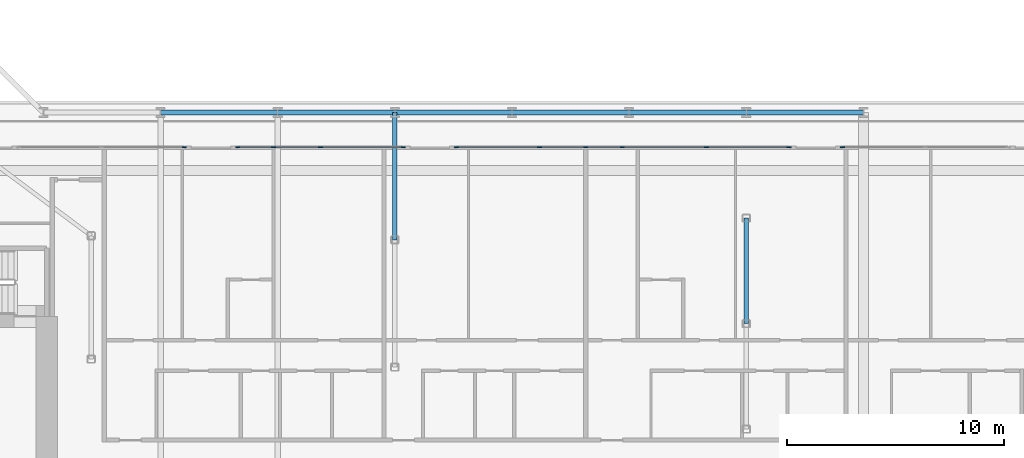
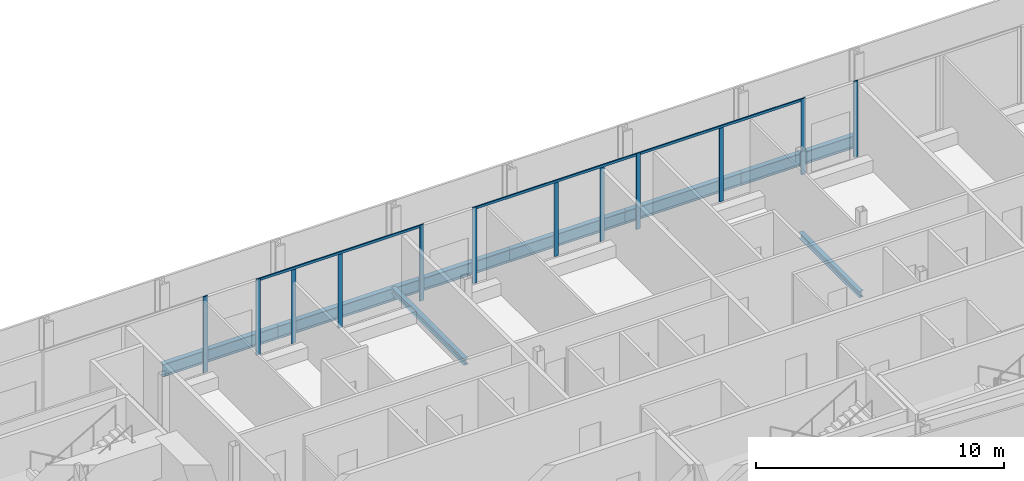
# One storey, part 6 of 27: 15 members, 8 beams, 5 elements without a shape of their own.
"""IFC4 building model written with IfcOpenShell, lengths in metres."""

from ifc_helpers import new_model, si_unit, direction, frame, origin, origin_2d, place, context, subcontext, project, spatial, rectangle, i_section, extrude, material, layer, layer_set, material_profile, profile_set, type_object, element, aggregate, save


model = new_model("IFC4")

# Units and contexts
model_context = context("Model", 3, precision=1e-05, world=origin(), true_north=direction((0.0, 1.0)))
body_context = subcontext(model_context, "Body", "Model", "MODEL_VIEW")
ifc_project = project(units=[si_unit("LENGTHUNIT", "METRE"), si_unit("AREAUNIT", "SQUARE_METRE"), si_unit("VOLUMEUNIT", "CUBIC_METRE"), si_unit("PLANEANGLEUNIT", "RADIAN"), si_unit("MASSUNIT", "GRAM", prefix="KILO")], contexts=[model_context])

# Site, building, storey
site_placement = place(None, origin())
site = spatial("IfcSite", under=ifc_project, at=site_placement, CompositionType="ELEMENT")
building_placement = place(site_placement, origin())
building = spatial("IfcBuilding", under=site, at=building_placement, Name="Kheshtan School and Residences Tower", CompositionType="ELEMENT")
storey_placement = place(building_placement, frame((0.0, 0.0, 53.89990234375)))
storey = spatial("IfcBuildingStorey", under=building, at=storey_placement, Name="L12", CompositionType="ELEMENT", Elevation=53.89990234375)

# Beams
ifc_material_1 = material(Name="Steel ASTM A992 Grade 50", Category="steel")
ifc_material_profile_1 = material_profile(ifc_material_1, i_section(OverallWidth=0.202880859375, OverallDepth=0.302978515625, WebThickness=0.007568359375, FlangeThickness=0.01318359375, FilletRadius=0.009033203125, at=origin_2d()), Name="W310x60")
ifc_profile_set_1 = profile_set([ifc_material_profile_1], Name="Steel ASTM A992 Grade 50")
beam_type_1 = type_object("IfcBeamType", Name="Beam FB1 W310x60 ASTM A992 Grade 50", PredefinedType="BEAM", material=ifc_profile_set_1)
beam_1_placement = place(storey_placement, frame((69.199951171875, 45.60009765625, -0.301513671875), z_axis=(0.0, -1.0, 0.0), x_axis=(1.0, 0.0, 0.0)))
element("IfcBeam", 1, at=beam_1_placement, inside=storey, type_object=beam_type_1, Name="Floor beam C064", PredefinedType="BEAM", context=body_context, shape_type="SweptSolid", body=[
    extrude(i_section(OverallWidth=0.202880859375, OverallDepth=0.302978515625, WebThickness=0.007568359375, FlangeThickness=0.01318359375, FilletRadius=0.009033203125, at=origin_2d()), origin(), (0.0, 0.0, 1.0), 5.8681640625),
])
beam_2_placement = place(storey_placement, frame((85.39990234375, 40.735107421875, -0.301513671875), z_axis=(0.0, -1.0, 0.0), x_axis=(1.0, 0.0, 0.0)))
element("IfcBeam", 2, at=beam_2_placement, inside=storey, type_object=beam_type_1, Name="Floor beam IC", PredefinedType="BEAM", context=body_context, shape_type="SweptSolid", body=[
    extrude(i_section(OverallWidth=0.202880859375, OverallDepth=0.302978515625, WebThickness=0.007568359375, FlangeThickness=0.01318359375, FilletRadius=0.009033203125, at=origin_2d()), origin(), (0.0, 0.0, 1.0), 4.864990234375),
])
ifc_material_profile_2 = material_profile(ifc_material_1, i_section(OverallWidth=0.22998046875, OverallDepth=0.616943359375, WebThickness=0.01318359375, FlangeThickness=0.022216796875, FilletRadius=0.0185546875, at=origin_2d()), Name="W610x140")
ifc_profile_set_2 = profile_set([ifc_material_profile_2], Name="Steel ASTM A992 Grade 50")
beam_type_2 = type_object("IfcBeamType", Name="Beam SP1 W610x140 ASTM A992 Grade 50", PredefinedType="BEAM", material=ifc_profile_set_2)
beam_3_placement = place(storey_placement, frame((58.39990234375, 45.60009765625, -0.45849609375), z_axis=(1.0, 0.0, 0.0), x_axis=(0.0, 1.0, 0.0)))
element("IfcBeam", 3, at=beam_3_placement, inside=storey, type_object=beam_type_2, Name="Spandrel beam C062-C063", PredefinedType="BEAM", context=body_context, shape_type="SweptSolid", body=[
    extrude(i_section(OverallWidth=0.22998046875, OverallDepth=0.616943359375, WebThickness=0.01318359375, FlangeThickness=0.022216796875, FilletRadius=0.0185546875, at=origin_2d()), origin(), (0.0, 0.0, 1.0), 5.400146484375),
])
beam_4_placement = place(storey_placement, frame((63.800048828125, 45.60009765625, -0.45849609375), z_axis=(1.0, 0.0, 0.0), x_axis=(0.0, 1.0, 0.0)))
element("IfcBeam", 4, at=beam_4_placement, inside=storey, type_object=beam_type_2, Name="Spandrel beam C063-C064", PredefinedType="BEAM", context=body_context, shape_type="SweptSolid", body=[
    extrude(i_section(OverallWidth=0.22998046875, OverallDepth=0.616943359375, WebThickness=0.01318359375, FlangeThickness=0.022216796875, FilletRadius=0.0185546875, at=origin_2d()), origin(), (0.0, 0.0, 1.0), 5.39990234375),
])
beam_5_placement = place(storey_placement, frame((69.199951171875, 45.60009765625, -0.45849609375), z_axis=(1.0, 0.0, 0.0), x_axis=(0.0, 1.0, 0.0)))
element("IfcBeam", 5, at=beam_5_placement, inside=storey, type_object=beam_type_2, Name="Spandrel beam C064-C065", PredefinedType="BEAM", context=body_context, shape_type="SweptSolid", body=[
    extrude(i_section(OverallWidth=0.22998046875, OverallDepth=0.616943359375, WebThickness=0.01318359375, FlangeThickness=0.022216796875, FilletRadius=0.0185546875, at=origin_2d()), origin(), (0.0, 0.0, 1.0), 5.400146484375),
])
for number, where, z_axis, x_axis, name in (
    (6, (74.60009765625, 45.60009765625, -0.45849609375), (1.0, 0.0, 0.0), (0.0, 1.0, 0.0), "Spandrel beam C065-C066"),
    (7, (80.0, 45.60009765625, -0.45849609375), (1.0, 0.0, 0.0), (0.0, 1.0, 0.0), "Spandrel beam C066-C067"),
):
    element("IfcBeam", number, at=place(storey_placement, frame(where, z_axis=z_axis, x_axis=x_axis)), inside=storey, type_object=beam_type_2, Name=name, PredefinedType="BEAM", context=body_context, shape_type="SweptSolid", body=[
        extrude(i_section(OverallWidth=0.22998046875, OverallDepth=0.616943359375, WebThickness=0.01318359375, FlangeThickness=0.022216796875, FilletRadius=0.0185546875, at=origin_2d()), origin(), (0.0, 0.0, 1.0), 5.39990234375),
    ])
beam_6_placement = place(storey_placement, frame((85.39990234375, 45.60009765625, -0.45849609375), z_axis=(1.0, 0.0, 0.0), x_axis=(0.0, 1.0, 0.0)))
element("IfcBeam", 8, at=beam_6_placement, inside=storey, type_object=beam_type_2, Name="Spandrel beam C067-C068", PredefinedType="BEAM", context=body_context, shape_type="SweptSolid", body=[
    extrude(i_section(OverallWidth=0.22998046875, OverallDepth=0.616943359375, WebThickness=0.01318359375, FlangeThickness=0.022216796875, FilletRadius=0.0185546875, at=origin_2d()), origin(), (0.0, 0.0, 1.0), 5.400146484375),
])

# Curtain wall, member
ifc_material_2 = material(Name="Clear low-e glass in thermally broken aluminium frame", Category="aluminium")
ifc_layer = layer(ifc_material_2, 0.199951171875)
ifc_layer_set = layer_set([ifc_layer], Name="Curtain wall CW-L")
curtain_wall_type = type_object("IfcCurtainWallType", Name="Curtain wall CW-L", PredefinedType="NOTDEFINED", material=ifc_layer_set)
curtain_wall_1_placement = place(storey_placement, origin())
curtain_wall_1 = element("IfcCurtainWall", 9, at=curtain_wall_1_placement, inside=storey, type_object=curtain_wall_type, Name="Curtain wall CWL12j", PredefinedType="NOTDEFINED")
ifc_material_3 = material(Name="Thermally broken aluminium, dark bronze anodised", Category="aluminium")
ifc_material_profile_3 = material_profile(ifc_material_3, rectangle(XDim=0.06005859375, YDim=0.199951171875, at=origin_2d()), Name="CW-L mullion 60x200")
ifc_profile_set_3 = profile_set([ifc_material_profile_3], Name="Thermally broken aluminium, dark bronze anodised")
member_type_1 = type_object("IfcMemberType", Name="CW-L mullion 60x200", PredefinedType="MULLION", material=ifc_profile_set_3)
member_1_placement = place(storey_placement, frame((59.493896484375, 44.0, 0.0), z_axis=(0.0, 0.0, 1.0), x_axis=(0.0, 1.0, 0.0)))
member_1 = element("IfcMember", 10, at=member_1_placement, type_object=member_type_1, Name="CWL12j mullion 3", PredefinedType="MULLION", context=body_context, shape_type="SweptSolid", body=[
    extrude(rectangle(XDim=0.06005859375, YDim=0.199951171875, at=origin_2d()), origin(), (0.0, 0.0, 1.0), 3.75),
])
aggregate(curtain_wall_1, [member_1])

# Curtain wall, members
curtain_wall_2_placement = place(storey_placement, origin())
curtain_wall_2 = element("IfcCurtainWall", 11, at=curtain_wall_2_placement, inside=storey, type_object=curtain_wall_type, Name="Curtain wall CWL12k", PredefinedType="NOTDEFINED")
member_2_placement = place(storey_placement, frame((61.9541015625, 44.0, 0.0), z_axis=(0.0, 0.0, 1.0), x_axis=(0.0, 1.0, 0.0)))
member_2 = element("IfcMember", 12, at=member_2_placement, type_object=member_type_1, Name="CWL12k mullion 1", PredefinedType="MULLION", context=body_context, shape_type="SweptSolid", body=[
    extrude(rectangle(XDim=0.06005859375, YDim=0.199951171875, at=origin_2d()), origin(), (0.0, 0.0, 1.0), 3.75),
])
member_3_placement = place(storey_placement, frame((63.60009765625, 44.0, 0.0), z_axis=(0.0, 0.0, 1.0), x_axis=(0.0, 1.0, 0.0)))
member_3 = element("IfcMember", 13, at=member_3_placement, type_object=member_type_1, Name="CWL12k mullion 2", PredefinedType="MULLION", context=body_context, shape_type="SweptSolid", body=[
    extrude(rectangle(XDim=0.06005859375, YDim=0.199951171875, at=origin_2d()), origin(), (0.0, 0.0, 1.0), 3.630126953125),
])
member_4_placement = place(storey_placement, frame((65.77099609375, 44.0, 0.0), z_axis=(0.0, 0.0, 1.0), x_axis=(0.0, 1.0, 0.0)))
member_4 = element("IfcMember", 14, at=member_4_placement, type_object=member_type_1, Name="CWL12k mullion 3", PredefinedType="MULLION", context=body_context, shape_type="SweptSolid", body=[
    extrude(rectangle(XDim=0.06005859375, YDim=0.199951171875, at=origin_2d()), origin(), (0.0, 0.0, 1.0), 3.630126953125),
])
member_5_placement = place(storey_placement, frame((69.587890625, 44.0, 0.0), z_axis=(0.0, 0.0, 1.0), x_axis=(0.0, 1.0, 0.0)))
member_5 = element("IfcMember", 15, at=member_5_placement, type_object=member_type_1, Name="CWL12k mullion 4", PredefinedType="MULLION", context=body_context, shape_type="SweptSolid", body=[
    extrude(rectangle(XDim=0.06005859375, YDim=0.199951171875, at=origin_2d()), origin(), (0.0, 0.0, 1.0), 3.75),
])

curtain_wall_3_placement = place(storey_placement, origin())
curtain_wall_3 = element("IfcCurtainWall", 16, at=curtain_wall_3_placement, inside=storey, type_object=curtain_wall_type, Name="Curtain wall CWL12k", PredefinedType="NOTDEFINED")
member_6_placement = place(storey_placement, frame((72.048095703125, 44.0, 0.0), z_axis=(0.0, 0.0, 1.0), x_axis=(0.0, 1.0, 0.0)))
member_6 = element("IfcMember", 17, at=member_6_placement, type_object=member_type_1, Name="CWL12k mullion 1", PredefinedType="MULLION", context=body_context, shape_type="SweptSolid", body=[
    extrude(rectangle(XDim=0.06005859375, YDim=0.199951171875, at=origin_2d()), origin(), (0.0, 0.0, 1.0), 3.75),
])
member_7_placement = place(storey_placement, frame((75.864990234375, 44.0, 0.0), z_axis=(0.0, 0.0, 1.0), x_axis=(0.0, 1.0, 0.0)))
member_7 = element("IfcMember", 18, at=member_7_placement, type_object=member_type_1, Name="CWL12k mullion 2", PredefinedType="MULLION", context=body_context, shape_type="SweptSolid", body=[
    extrude(rectangle(XDim=0.06005859375, YDim=0.199951171875, at=origin_2d()), origin(), (0.0, 0.0, 1.0), 3.630126953125),
])
member_8_placement = place(storey_placement, frame((78.0, 44.0, 0.0), z_axis=(0.0, 0.0, 1.0), x_axis=(0.0, 1.0, 0.0)))
member_8 = element("IfcMember", 19, at=member_8_placement, type_object=member_type_1, Name="CWL12k mullion 3", PredefinedType="MULLION", context=body_context, shape_type="SweptSolid", body=[
    extrude(rectangle(XDim=0.06005859375, YDim=0.199951171875, at=origin_2d()), origin(), (0.0, 0.0, 1.0), 3.630126953125),
])
member_9_placement = place(storey_placement, frame((79.681884765625, 44.0, 0.0), z_axis=(0.0, 0.0, 1.0), x_axis=(0.0, 1.0, 0.0)))
member_9 = element("IfcMember", 20, at=member_9_placement, type_object=member_type_1, Name="CWL12k mullion 4", PredefinedType="MULLION", context=body_context, shape_type="SweptSolid", body=[
    extrude(rectangle(XDim=0.06005859375, YDim=0.199951171875, at=origin_2d()), origin(), (0.0, 0.0, 1.0), 3.75),
])

curtain_wall_4_placement = place(storey_placement, origin())
curtain_wall_4 = element("IfcCurtainWall", 21, at=curtain_wall_4_placement, inside=storey, type_object=curtain_wall_type, Name="Curtain wall CWL12j", PredefinedType="NOTDEFINED")
member_10_placement = place(storey_placement, frame((83.55908203125, 44.0, 0.0), z_axis=(0.0, 0.0, 1.0), x_axis=(0.0, 1.0, 0.0)))
member_10 = element("IfcMember", 22, at=member_10_placement, type_object=member_type_1, Name="CWL12j mullion 2", PredefinedType="MULLION", context=body_context, shape_type="SweptSolid", body=[
    extrude(rectangle(XDim=0.06005859375, YDim=0.199951171875, at=origin_2d()), origin(), (0.0, 0.0, 1.0), 3.630126953125),
])
member_11_placement = place(storey_placement, frame((87.3759765625, 44.0, 0.0), z_axis=(0.0, 0.0, 1.0), x_axis=(0.0, 1.0, 0.0)))
member_11 = element("IfcMember", 23, at=member_11_placement, type_object=member_type_1, Name="CWL12j mullion 3", PredefinedType="MULLION", context=body_context, shape_type="SweptSolid", body=[
    extrude(rectangle(XDim=0.06005859375, YDim=0.199951171875, at=origin_2d()), origin(), (0.0, 0.0, 1.0), 3.75),
])

# Curtain wall, member
curtain_wall_5_placement = place(storey_placement, origin())
curtain_wall_5 = element("IfcCurtainWall", 24, at=curtain_wall_5_placement, inside=storey, type_object=curtain_wall_type, Name="Curtain wall CWL12j", PredefinedType="NOTDEFINED")
member_12_placement = place(storey_placement, frame((89.8359375, 44.0, 0.0), z_axis=(0.0, 0.0, 1.0), x_axis=(0.0, 1.0, 0.0)))
member_12 = element("IfcMember", 25, at=member_12_placement, type_object=member_type_1, Name="CWL12j mullion 1", PredefinedType="MULLION", context=body_context, shape_type="SweptSolid", body=[
    extrude(rectangle(XDim=0.06005859375, YDim=0.199951171875, at=origin_2d()), origin(), (0.0, 0.0, 1.0), 3.75),
])
aggregate(curtain_wall_5, [member_12])

# Member
ifc_material_profile_4 = material_profile(ifc_material_3, rectangle(XDim=0.06005859375, YDim=0.1201171875, at=origin_2d()), Name="CW-L transom 60x120")
ifc_profile_set_4 = profile_set([ifc_material_profile_4], Name="Thermally broken aluminium, dark bronze anodised")
member_type_2 = type_object("IfcMemberType", Name="CW-L transom 60x120", PredefinedType="USERDEFINED", material=ifc_profile_set_4)
member_13_placement = place(storey_placement, frame((61.98388671875, 44.0, 3.690185546875), z_axis=(1.0, 0.0, 0.0), x_axis=(0.0, 1.0, 0.0)))
member_13 = element("IfcMember", 26, at=member_13_placement, type_object=member_type_2, Name="CWL12k transom 1", ObjectType="TRANSOM", PredefinedType="USERDEFINED", context=body_context, shape_type="SweptSolid", body=[
    extrude(rectangle(XDim=0.06005859375, YDim=0.1201171875, at=origin_2d()), origin(), (0.0, 0.0, 1.0), 7.57421875),
])

aggregate(curtain_wall_2, [member_2, member_3, member_4, member_5, member_13])

member_14_placement = place(storey_placement, frame((72.077880859375, 44.0, 3.690185546875), z_axis=(1.0, 0.0, 0.0), x_axis=(0.0, 1.0, 0.0)))
member_14 = element("IfcMember", 27, at=member_14_placement, type_object=member_type_2, Name="CWL12k transom 1", ObjectType="TRANSOM", PredefinedType="USERDEFINED", context=body_context, shape_type="SweptSolid", body=[
    extrude(rectangle(XDim=0.06005859375, YDim=0.1201171875, at=origin_2d()), origin(), (0.0, 0.0, 1.0), 7.57421875),
])

aggregate(curtain_wall_3, [member_6, member_7, member_8, member_9, member_14])

member_15_placement = place(storey_placement, frame((79.7119140625, 44.0, 3.690185546875), z_axis=(1.0, 0.0, 0.0), x_axis=(0.0, 1.0, 0.0)))
member_15 = element("IfcMember", 28, at=member_15_placement, type_object=member_type_2, Name="CWL12j transom 1", ObjectType="TRANSOM", PredefinedType="USERDEFINED", context=body_context, shape_type="SweptSolid", body=[
    extrude(rectangle(XDim=0.06005859375, YDim=0.1201171875, at=origin_2d()), origin(), (0.0, 0.0, 1.0), 7.634033203125),
])

aggregate(curtain_wall_4, [member_10, member_11, member_15])

save(model, "model.ifc")
